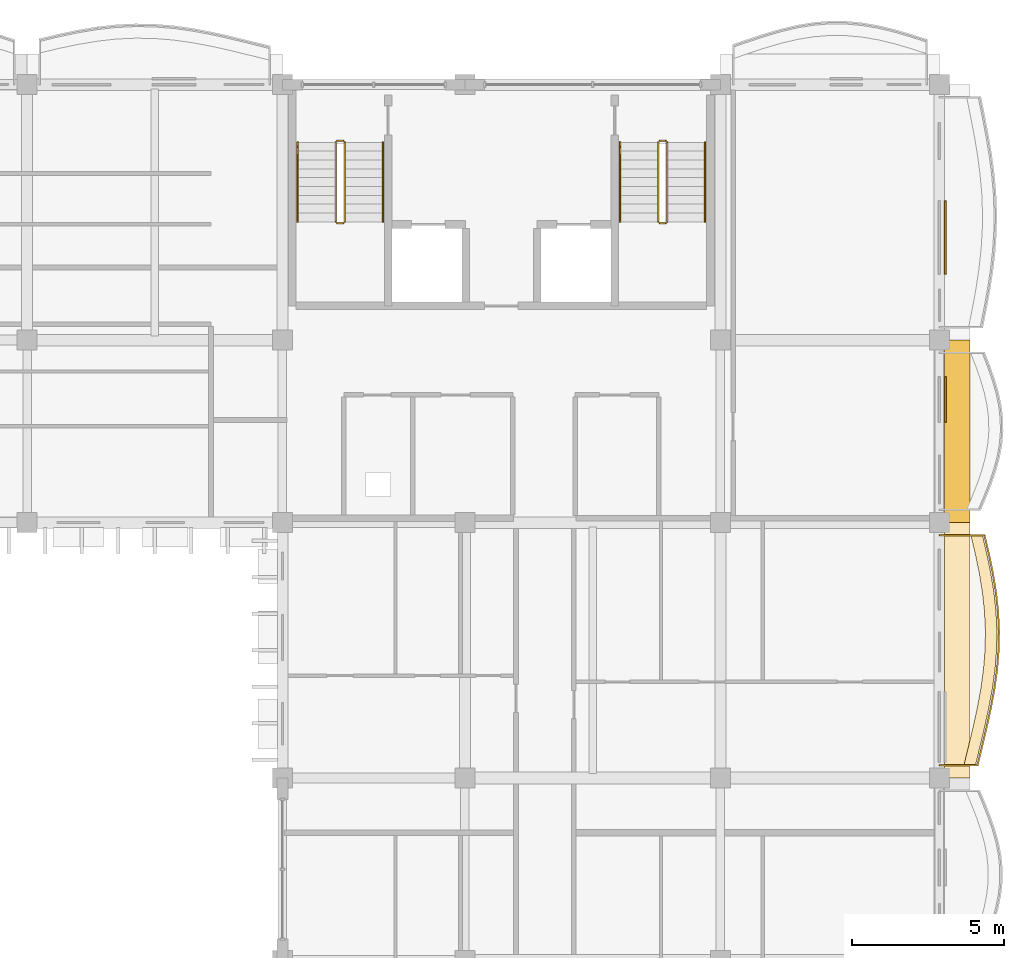
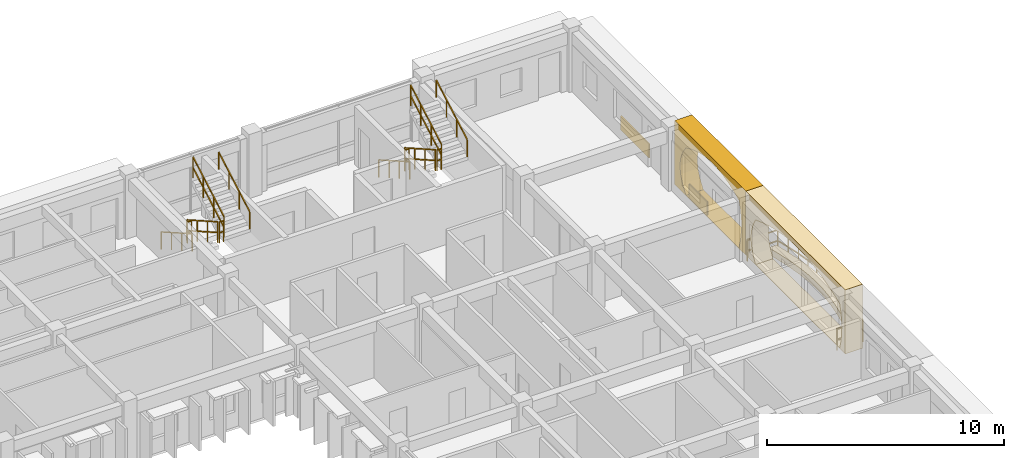
# One storey, part 77 of 79: 13 railings, 5 coverings.
"""IFC4 building model written with IfcOpenShell, lengths in metres."""

from ifc_helpers import new_model, si_unit, direction, frame, origin, origin_2d, place, context, subcontext, project, spatial, polyline, rectangle, outline, extrude, material, layer, layer_set, type_object, element, save


model = new_model("IFC4")

# Units and contexts
model_context = context("Model", 3, precision=1e-05, world=origin(), true_north=direction((0.0, 1.0)))
body_context = subcontext(model_context, "Body", "Model", "MODEL_VIEW")
ifc_project = project(units=[si_unit("LENGTHUNIT", "METRE"), si_unit("AREAUNIT", "SQUARE_METRE"), si_unit("VOLUMEUNIT", "CUBIC_METRE"), si_unit("PLANEANGLEUNIT", "RADIAN"), si_unit("MASSUNIT", "GRAM", prefix="KILO"), si_unit("THERMODYNAMICTEMPERATUREUNIT", "KELVIN")], contexts=[model_context])

# Site, building, storey
site_placement = place(None, origin())
site = spatial("IfcSite", under=ifc_project, at=site_placement, CompositionType="ELEMENT")
building_placement = place(site_placement, origin())
building = spatial("IfcBuilding", under=site, at=building_placement, Name="Thalorik Housing Commons", CompositionType="ELEMENT")
storey_placement = place(building_placement, frame((0.0, 0.0, 11.39990234375)))
storey = spatial("IfcBuildingStorey", under=building, at=storey_placement, Name="L03", CompositionType="ELEMENT", Elevation=11.39990234375)

# Coverings
ifc_material_1 = material(Name="Cobalt blue glazed ceramic facade tile panel", Category="masonry")
ifc_layer_1 = layer(ifc_material_1, 0.06005859375, Name="Cobalt blue glazed ceramic facade tile panel", Category="masonry")
ifc_layer_set_1 = layer_set([ifc_layer_1], Name="Cobalt blue glazed ceramic facade tile panel")
covering_type_1 = type_object("IfcCoveringType", Name="ARC-CLD-BLU-60", PredefinedType="CLADDING", material=ifc_layer_set_1)
covering_1_placement = place(storey_placement, frame((174.195068359375, 118.577392578125, 0.05029296875), z_axis=(0.0, 0.0, 1.0), x_axis=(0.0, 1.0, 0.0)))
element("IfcCovering", 1, at=covering_1_placement, inside=storey, type_object=covering_type_1, Name="L03 De Stijl Recessed Window Spandrel 1851", PredefinedType="CLADDING", context=body_context, shape_type="SweptSolid", body=[
    extrude(rectangle(XDim=2.419921875, YDim=0.06005859375, at=origin_2d()), origin(), (0.0, 0.0, 1.0), 0.699951171875),
])
ifc_material_2 = material(Name="Precast concrete C40/50", Category="concrete")
ifc_layer_2 = layer(ifc_material_2, 0.85009765625, Name="Precast concrete C40/50", Category="concrete")
ifc_layer_set_2 = layer_set([ifc_layer_2], Name="Precast concrete C40/50")
covering_type_2 = type_object("IfcCoveringType", Name="ARC-CLD-CUSH-850", PredefinedType="CLADDING", material=ifc_layer_set_2)
covering_2_placement = place(storey_placement, frame((174.5849609375, 112.199951171875, 0.0), z_axis=(0.0, 0.0, 1.0), x_axis=(0.0, 1.0, 0.0)))
element("IfcCovering", 2, at=covering_2_placement, inside=storey, type_object=covering_type_2, Name="L03 White Precast Curved Cushion Bay Frame 1848", PredefinedType="CLADDING", context=body_context, shape_type="SweptSolid", body=[
    extrude(outline(polyline([(-3.0, 0.0), (3.0, 0.0), (3.0, 3.300048828125), (-3.0, 3.300048828125), (-3.0, 0.0)]), holes=[polyline([(2.0400390625, 0.02490234375), (2.3232421875, 0.4326171875), (2.493408203125, 0.840087890625), (2.550048828125, 1.24755859375), (2.493408203125, 1.655029296875), (2.3232421875, 2.0625), (2.0400390625, 2.469970703125), (1.66748046875, 2.6435546875), (1.294921875, 2.77978515625), (0.922607421875, 2.89013671875), (0.550048828125, 2.97216796875), (0.177490234375, 3.02294921875), (-0.195068359375, 3.0400390625), (-0.5673828125, 3.02294921875), (-0.93994140625, 2.97216796875), (-1.3125, 2.89013671875), (-1.68505859375, 2.77978515625), (-2.0576171875, 2.6435546875), (-2.429931640625, 2.469970703125), (-2.55029296875, 2.0625), (-2.62255859375, 1.655029296875), (-2.646484375, 1.24755859375), (-2.62255859375, 0.840087890625), (-2.55029296875, 0.4326171875), (-2.429931640625, 0.02490234375), (2.0400390625, 0.02490234375)])]), frame((0.0, 0.425048828125, 0.0), z_axis=(0.0, -1.0, 0.0), x_axis=(1.0, 0.0, 0.0)), (0.0, 0.0, 1.0), 0.85009765625),
])
covering_3_placement = place(storey_placement, frame((174.5849609375, 105.0, 0.0), z_axis=(0.0, 0.0, 1.0), x_axis=(0.0, 1.0, 0.0)))
element("IfcCovering", 3, at=covering_3_placement, inside=storey, type_object=covering_type_2, Name="L03 White Precast Curved Cushion Bay Frame 2006", PredefinedType="CLADDING", context=body_context, shape_type="SweptSolid", body=[
    extrude(outline(polyline([(-4.199951171875, 0.0), (4.199951171875, 0.0), (4.199951171875, 3.300048828125), (-4.199951171875, 3.300048828125), (-4.199951171875, 0.0)]), holes=[polyline([(3.36669921875, 0.02490234375), (3.57958984375, 0.407470703125), (3.70751953125, 0.7900390625), (3.75, 1.172607421875), (3.70751953125, 1.554931640625), (3.57958984375, 1.9375), (3.36669921875, 2.320068359375), (2.77490234375, 2.539306640625), (2.183349609375, 2.711181640625), (1.591552734375, 2.8505859375), (1.0, 2.954345703125), (0.408203125, 3.018310546875), (-0.183349609375, 3.0400390625), (-0.775146484375, 3.018310546875), (-1.36669921875, 2.954345703125), (-1.95849609375, 2.8505859375), (-2.550048828125, 2.711181640625), (-3.1416015625, 2.539306640625), (-3.7333984375, 2.320068359375), (-3.831787109375, 1.9375), (-3.89111328125, 1.554931640625), (-3.91064453125, 1.172607421875), (-3.89111328125, 0.7900390625), (-3.831787109375, 0.407470703125), (-3.7333984375, 0.02490234375), (3.36669921875, 0.02490234375)])]), frame((0.0, 0.425048828125, 0.0), z_axis=(0.0, -1.0, 0.0), x_axis=(1.0, 0.0, 0.0)), (0.0, 0.0, 1.0), 0.85009765625),
])
ifc_material_3 = material(Name="Terracotta red mineral fibre-cement panel", Category="masonry")
ifc_layer_3 = layer(ifc_material_3, 0.054931640625, Name="Terracotta red mineral fibre-cement panel", Category="masonry")
ifc_layer_set_3 = layer_set([ifc_layer_3], Name="Terracotta red mineral fibre-cement panel")
covering_type_3 = type_object("IfcCoveringType", Name="ARC-CLD-RED-55", PredefinedType="CLADDING", material=ifc_layer_set_3)
covering_4_placement = place(storey_placement, frame((174.1923828125, 113.239990234375, 0.05029296875), z_axis=(0.0, 0.0, 1.0), x_axis=(0.0, 1.0, 0.0)))
element("IfcCovering", 4, at=covering_4_placement, inside=storey, type_object=covering_type_3, Name="L03 De Stijl Recessed Window Spandrel 1849", PredefinedType="CLADDING", context=body_context, shape_type="SweptSolid", body=[
    extrude(rectangle(XDim=1.5, YDim=0.054931640625, at=origin_2d()), origin(), (0.0, 0.0, 1.0), 0.699951171875),
])
ifc_material_4 = material(Name="Planted vegetated substrate and terracotta trough", Category="masonry")
ifc_layer_4 = layer(ifc_material_4, 0.340087890625, Name="Planted vegetated substrate and terracotta trough", Category="masonry")
ifc_layer_set_4 = layer_set([ifc_layer_4], Name="Planted vegetated substrate and terracotta trough")
covering_type_4 = type_object("IfcCoveringType", Name="ARC-COV-PLANTER", PredefinedType="USERDEFINED", material=ifc_layer_set_4)
covering_5_placement = place(storey_placement, origin())
element("IfcCovering", 5, at=covering_5_placement, inside=storey, type_object=covering_type_4, Name="L03 Balcony Slab-Edge Planted Trough 5450", ObjectType="PLANTER", PredefinedType="USERDEFINED", context=body_context, shape_type="SweptSolid", body=[
    extrude(outline(polyline([(175.186767578125, 101.219970703125), (175.338623046875, 101.85009765625), (175.488525390625, 102.47998046875), (175.62646484375, 103.110107421875), (175.74267578125, 103.739990234375), (175.829345703125, 104.3701171875), (175.880126953125, 105.0), (175.8916015625, 105.6298828125), (175.86279296875, 106.260009765625), (175.795166015625, 106.889892578125), (175.693359375, 107.52001953125), (175.564208984375, 108.14990234375), (175.416015625, 108.780029296875), (175.035888671875, 108.780029296875), (175.18408203125, 108.14990234375), (175.3134765625, 107.52001953125), (175.415283203125, 106.889892578125), (175.48291015625, 106.260009765625), (175.51171875, 105.6298828125), (175.500244140625, 105.0), (175.44921875, 104.3701171875), (175.36279296875, 103.739990234375), (175.246337890625, 103.110107421875), (175.108642578125, 102.47998046875), (174.958740234375, 101.85009765625), (174.806884765625, 101.219970703125), (175.186767578125, 101.219970703125)])), origin(), (0.0, 0.0, 1.0), 0.340087890625),
])

# Railings
ifc_material_5 = material(Name="Steel S355", Category="steel")
railing_type_1 = type_object("IfcRailingType", Name="ARC-RL-BAL-112", PredefinedType="BALUSTRADE", material=ifc_material_5)
railing_1_placement = place(storey_placement, frame((174.0, 101.219970703125, 0.0)))
element("IfcRailing", 6, at=railing_1_placement, inside=storey, type_object=railing_type_1, Name="L03 Cushion Balcony Guardrail 134", PredefinedType="BALUSTRADE", context=body_context, shape_type="SweptSolid", body=[
    extrude(rectangle(XDim=0.050048828125, YDim=0.050048828125, at=origin_2d()), frame((0.0, 0.0, 1.09521484375), z_axis=(1.0, 0.0, 0.0), x_axis=(0.0, 1.0, 0.0)), (0.0, 0.0, 1.0), 1.2568359375),
    extrude(rectangle(XDim=0.050048828125, YDim=0.050048828125, at=origin_2d()), frame((0.0, 0.0, 0.53515625), z_axis=(1.0, 0.0, 0.0), x_axis=(0.0, 1.0, 0.0)), (0.0, 0.0, 1.0), 1.2568359375),
    extrude(rectangle(XDim=0.050048828125, YDim=0.050048828125, at=origin_2d()), frame((1.2568359375, 0.0, 1.09521484375), z_axis=(0.234284591689, 0.972168056509, 0.0), x_axis=(-0.972168056509, 0.234284591689, 0.0)), (0.0, 0.0, 1.0), 0.648193359375),
    extrude(rectangle(XDim=0.050048828125, YDim=0.050048828125, at=origin_2d()), frame((1.2568359375, 0.0, 0.53515625), z_axis=(0.234284591689, 0.972168056509, 0.0), x_axis=(-0.972168056509, 0.234284591689, 0.0)), (0.0, 0.0, 1.0), 0.648193359375),
    extrude(rectangle(XDim=0.050048828125, YDim=0.050048828125, at=origin_2d()), frame((1.40869140625, 0.630126953125, 1.09521484375), z_axis=(0.231518572545, 0.972830483983, 0.0), x_axis=(-0.972830483983, 0.231518572545, 0.0)), (0.0, 0.0, 1.0), 0.6474609375),
    extrude(rectangle(XDim=0.050048828125, YDim=0.050048828125, at=origin_2d()), frame((1.40869140625, 0.630126953125, 0.53515625), z_axis=(0.231518572545, 0.972830483983, 0.0), x_axis=(-0.972830483983, 0.231518572545, 0.0)), (0.0, 0.0, 1.0), 0.6474609375),
    extrude(rectangle(XDim=0.050048828125, YDim=0.050048828125, at=origin_2d()), frame((1.55859375, 1.260009765625, 1.09521484375), z_axis=(0.213482393647, 0.976946911353, 0.0), x_axis=(-0.976946911353, 0.213482393647, 0.0)), (0.0, 0.0, 1.0), 0.64501953125),
    extrude(rectangle(XDim=0.050048828125, YDim=0.050048828125, at=origin_2d()), frame((1.55859375, 1.260009765625, 0.53515625), z_axis=(0.213482393647, 0.976946911353, 0.0), x_axis=(-0.976946911353, 0.213482393647, 0.0)), (0.0, 0.0, 1.0), 0.64501953125),
    extrude(rectangle(XDim=0.050048828125, YDim=0.050048828125, at=origin_2d()), frame((1.6962890625, 1.89013671875, 1.09521484375), z_axis=(0.181802641006, 0.983335039406, 0.0), x_axis=(-0.983335039406, 0.181802641006, 0.0)), (0.0, 0.0, 1.0), 0.640625),
    extrude(rectangle(XDim=0.050048828125, YDim=0.050048828125, at=origin_2d()), frame((1.6962890625, 1.89013671875, 0.53515625), z_axis=(0.181802641006, 0.983335039406, 0.0), x_axis=(-0.983335039406, 0.181802641006, 0.0)), (0.0, 0.0, 1.0), 0.640625),
    extrude(rectangle(XDim=0.050048828125, YDim=0.050048828125, at=origin_2d()), frame((1.812744140625, 2.52001953125, 1.09521484375), z_axis=(0.136260720322, 0.990673011693, 0.0), x_axis=(-0.990673011693, 0.136260720322, 0.0)), (0.0, 0.0, 1.0), 0.635986328125),
    extrude(rectangle(XDim=0.050048828125, YDim=0.050048828125, at=origin_2d()), frame((1.812744140625, 2.52001953125, 0.53515625), z_axis=(0.136260720322, 0.990673011693, 0.0), x_axis=(-0.990673011693, 0.136260720322, 0.0)), (0.0, 0.0, 1.0), 0.635986328125),
    extrude(rectangle(XDim=0.050048828125, YDim=0.050048828125, at=origin_2d()), frame((1.8994140625, 3.150146484375, 1.09521484375), z_axis=(0.080359425574, 0.996765951827, 0.0), x_axis=(-0.996765951827, 0.080359425574, 0.0)), (0.0, 0.0, 1.0), 0.6318359375),
    extrude(rectangle(XDim=0.050048828125, YDim=0.050048828125, at=origin_2d()), frame((1.8994140625, 3.150146484375, 0.53515625), z_axis=(0.080359425574, 0.996765951827, 0.0), x_axis=(-0.996765951827, 0.080359425574, 0.0)), (0.0, 0.0, 1.0), 0.6318359375),
    extrude(rectangle(XDim=0.050048828125, YDim=0.050048828125, at=origin_2d()), frame((1.9501953125, 3.780029296875, 1.09521484375), z_axis=(0.01821403225, 0.999834110755, 0.0), x_axis=(-0.999834110755, 0.01821403225, 0.0)), (0.0, 0.0, 1.0), 0.6298828125),
    extrude(rectangle(XDim=0.050048828125, YDim=0.050048828125, at=origin_2d()), frame((1.9501953125, 3.780029296875, 0.53515625), z_axis=(0.01821403225, 0.999834110755, 0.0), x_axis=(-0.999834110755, 0.01821403225, 0.0)), (0.0, 0.0, 1.0), 0.6298828125),
    extrude(rectangle(XDim=0.050048828125, YDim=0.050048828125, at=origin_2d()), frame((1.961669921875, 4.409912109375, 1.09521484375), z_axis=(-0.045671007804, 0.998956535114, 0.0), x_axis=(-0.998956535114, -0.045671007804, 0.0)), (0.0, 0.0, 1.0), 0.630859375),
    extrude(rectangle(XDim=0.050048828125, YDim=0.050048828125, at=origin_2d()), frame((1.961669921875, 4.409912109375, 0.53515625), z_axis=(-0.045671007804, 0.998956535114, 0.0), x_axis=(-0.998956535114, -0.045671007804, 0.0)), (0.0, 0.0, 1.0), 0.630859375),
    extrude(rectangle(XDim=0.050048828125, YDim=0.050048828125, at=origin_2d()), frame((1.932861328125, 5.0400390625, 1.09521484375), z_axis=(-0.106750840094, 0.994285803046, 0.0), x_axis=(-0.994285803046, -0.106750840094, 0.0)), (0.0, 0.0, 1.0), 0.633544921875),
    extrude(rectangle(XDim=0.050048828125, YDim=0.050048828125, at=origin_2d()), frame((1.932861328125, 5.0400390625, 0.53515625), z_axis=(-0.106750840094, 0.994285803046, 0.0), x_axis=(-0.994285803046, -0.106750840094, 0.0)), (0.0, 0.0, 1.0), 0.633544921875),
    extrude(rectangle(XDim=0.050048828125, YDim=0.050048828125, at=origin_2d()), frame((1.865234375, 5.669921875, 1.09521484375), z_axis=(-0.159496992938, 0.987198414324, 0.0), x_axis=(-0.987198414324, -0.159496992938, 0.0)), (0.0, 0.0, 1.0), 0.63818359375),
    extrude(rectangle(XDim=0.050048828125, YDim=0.050048828125, at=origin_2d()), frame((1.865234375, 5.669921875, 0.53515625), z_axis=(-0.159496992938, 0.987198414324, 0.0), x_axis=(-0.987198414324, -0.159496992938, 0.0)), (0.0, 0.0, 1.0), 0.63818359375),
    extrude(rectangle(XDim=0.050048828125, YDim=0.050048828125, at=origin_2d()), frame((1.763427734375, 6.300048828125, 1.09521484375), z_axis=(-0.201224395652, 0.979545171288, 0.0), x_axis=(-0.979545171288, -0.201224395652, 0.0)), (0.0, 0.0, 1.0), 0.64306640625),
    extrude(rectangle(XDim=0.050048828125, YDim=0.050048828125, at=origin_2d()), frame((1.763427734375, 6.300048828125, 0.53515625), z_axis=(-0.201224395652, 0.979545171288, 0.0), x_axis=(-0.979545171288, -0.201224395652, 0.0)), (0.0, 0.0, 1.0), 0.64306640625),
    extrude(rectangle(XDim=0.050048828125, YDim=0.050048828125, at=origin_2d()), frame((1.634033203125, 6.929931640625, 1.09521484375), z_axis=(-0.228576787076, 0.973525886872, 0.0), x_axis=(-0.973525886872, -0.228576787076, 0.0)), (0.0, 0.0, 1.0), 0.647216796875),
    extrude(rectangle(XDim=0.050048828125, YDim=0.050048828125, at=origin_2d()), frame((1.634033203125, 6.929931640625, 0.53515625), z_axis=(-0.228576787076, 0.973525886872, 0.0), x_axis=(-0.973525886872, -0.228576787076, 0.0)), (0.0, 0.0, 1.0), 0.647216796875),
    extrude(rectangle(XDim=0.050048828125, YDim=0.050048828125, at=origin_2d()), frame((1.486083984375, 7.56005859375, 1.09521484375), z_axis=(-1.0, 0.0, 0.0), x_axis=(0.0, -1.0, 0.0)), (0.0, 0.0, 1.0), 1.486083984375),
    extrude(rectangle(XDim=0.050048828125, YDim=0.050048828125, at=origin_2d()), frame((1.486083984375, 7.56005859375, 0.53515625), z_axis=(-1.0, 0.0, 0.0), x_axis=(0.0, -1.0, 0.0)), (0.0, 0.0, 1.0), 1.486083984375),
    extrude(rectangle(XDim=0.0419921875, YDim=0.0419921875, at=origin_2d()), origin(), (0.0, 0.0, 1.0), 1.070068359375),
    extrude(rectangle(XDim=0.0419921875, YDim=0.0419921875, at=origin_2d()), frame((1.2568359375, 0.0, 0.0)), (0.0, 0.0, 1.0), 1.070068359375),
    extrude(rectangle(XDim=0.0419921875, YDim=0.0419921875, at=origin_2d()), frame((1.40869140625, 0.630126953125, 0.0)), (0.0, 0.0, 1.0), 1.070068359375),
    extrude(rectangle(XDim=0.0419921875, YDim=0.0419921875, at=origin_2d()), frame((1.55859375, 1.260009765625, 0.0)), (0.0, 0.0, 1.0), 1.070068359375),
    extrude(rectangle(XDim=0.0419921875, YDim=0.0419921875, at=origin_2d()), frame((1.6962890625, 1.89013671875, 0.0)), (0.0, 0.0, 1.0), 1.070068359375),
    extrude(rectangle(XDim=0.0419921875, YDim=0.0419921875, at=origin_2d()), frame((1.812744140625, 2.52001953125, 0.0)), (0.0, 0.0, 1.0), 1.070068359375),
    extrude(rectangle(XDim=0.0419921875, YDim=0.0419921875, at=origin_2d()), frame((1.8994140625, 3.150146484375, 0.0)), (0.0, 0.0, 1.0), 1.070068359375),
    extrude(rectangle(XDim=0.0419921875, YDim=0.0419921875, at=origin_2d()), frame((1.9501953125, 3.780029296875, 0.0)), (0.0, 0.0, 1.0), 1.070068359375),
    extrude(rectangle(XDim=0.0419921875, YDim=0.0419921875, at=origin_2d()), frame((1.961669921875, 4.409912109375, 0.0)), (0.0, 0.0, 1.0), 1.070068359375),
    extrude(rectangle(XDim=0.0419921875, YDim=0.0419921875, at=origin_2d()), frame((1.932861328125, 5.0400390625, 0.0)), (0.0, 0.0, 1.0), 1.070068359375),
    extrude(rectangle(XDim=0.0419921875, YDim=0.0419921875, at=origin_2d()), frame((1.865234375, 5.669921875, 0.0)), (0.0, 0.0, 1.0), 1.070068359375),
    extrude(rectangle(XDim=0.0419921875, YDim=0.0419921875, at=origin_2d()), frame((1.763427734375, 6.300048828125, 0.0)), (0.0, 0.0, 1.0), 1.070068359375),
    extrude(rectangle(XDim=0.0419921875, YDim=0.0419921875, at=origin_2d()), frame((1.634033203125, 6.929931640625, 0.0)), (0.0, 0.0, 1.0), 1.070068359375),
    extrude(rectangle(XDim=0.0419921875, YDim=0.0419921875, at=origin_2d()), frame((1.486083984375, 7.56005859375, 0.0)), (0.0, 0.0, 1.0), 1.070068359375),
    extrude(rectangle(XDim=0.0419921875, YDim=0.0419921875, at=origin_2d()), frame((0.0, 7.56005859375, 0.0)), (0.0, 0.0, 1.0), 1.070068359375),
])
railing_type_2 = type_object("IfcRailingType", Name="ARC-RL-STR-GRD110", PredefinedType="GUARDRAIL", material=ifc_material_5)
railing_2_placement = place(storey_placement, frame((154.14990234375, 121.699951171875, 0.1650390625)))
element("IfcRailing", 7, at=railing_2_placement, inside=storey, type_object=railing_type_2, Name="L03 ST-B1 stair guard 1", PredefinedType="GUARDRAIL", context=body_context, shape_type="SweptSolid", body=[
    extrude(rectangle(XDim=0.048095703125, YDim=0.048095703125, at=origin_2d()), frame((0.0, 0.0, 1.076171875), z_axis=(0.0, -0.869137319866, 0.494570843475), x_axis=(1.0, 0.0, 0.0)), (0.0, 0.0, 1.0), 3.0029296875),
    extrude(rectangle(XDim=0.048095703125, YDim=0.048095703125, at=origin_2d()), frame((0.0, 0.0, 0.52587890625), z_axis=(0.0, -0.869137319866, 0.494570843475), x_axis=(1.0, 0.0, 0.0)), (0.0, 0.0, 1.0), 3.0029296875),
    extrude(rectangle(XDim=0.0419921875, YDim=0.0419921875, at=origin_2d()), origin(), (0.0, 0.0, 1.0), 1.052001953125),
    extrude(rectangle(XDim=0.0419921875, YDim=0.0419921875, at=origin_2d()), frame((0.0, -0.869873046875, 0.4951171875)), (0.0, 0.0, 1.0), 1.052001953125),
    extrude(rectangle(XDim=0.0419921875, YDim=0.0419921875, at=origin_2d()), frame((0.0, -1.739990234375, 0.989990234375)), (0.0, 0.0, 1.0), 1.052001953125),
    extrude(rectangle(XDim=0.0419921875, YDim=0.0419921875, at=origin_2d()), frame((0.0, -2.60986328125, 1.485107421875)), (0.0, 0.0, 1.0), 1.052001953125),
])
railing_3_placement = place(storey_placement, frame((154.199951171875, 119.0400390625, 1.650146484375)))
element("IfcRailing", 8, at=railing_3_placement, inside=storey, type_object=railing_type_2, Name="L03 ST-B1 stair guard 2", PredefinedType="GUARDRAIL", context=body_context, shape_type="SweptSolid", body=[
    extrude(rectangle(XDim=0.048095703125, YDim=0.048095703125, at=origin_2d()), frame((0.0, 0.0, 1.076171875), z_axis=(1.0, 0.0, 0.0), x_axis=(0.0, 1.0, 0.0)), (0.0, 0.0, 1.0), 0.199951171875),
    extrude(rectangle(XDim=0.048095703125, YDim=0.048095703125, at=origin_2d()), frame((0.0, 0.0, 0.52587890625), z_axis=(1.0, 0.0, 0.0), x_axis=(0.0, 1.0, 0.0)), (0.0, 0.0, 1.0), 0.199951171875),
    extrude(rectangle(XDim=0.0419921875, YDim=0.0419921875, at=origin_2d()), origin(), (0.0, 0.0, 1.0), 1.052001953125),
    extrude(rectangle(XDim=0.0419921875, YDim=0.0419921875, at=origin_2d()), frame((0.199951171875, 0.0, 0.0)), (0.0, 0.0, 1.0), 1.052001953125),
])
railing_4_placement = place(storey_placement, frame((154.449951171875, 119.090087890625, 1.815185546875)))
element("IfcRailing", 9, at=railing_4_placement, inside=storey, type_object=railing_type_2, Name="L03 ST-B1 stair guard 3", PredefinedType="GUARDRAIL", context=body_context, shape_type="SweptSolid", body=[
    extrude(rectangle(XDim=0.048095703125, YDim=0.048095703125, at=origin_2d()), frame((0.0, 0.0, 1.076171875), z_axis=(0.0, 0.869172267526, 0.494509422927), x_axis=(-1.0, 0.0, 0.0)), (0.0, 0.0, 1.0), 3.002685546875),
    extrude(rectangle(XDim=0.048095703125, YDim=0.048095703125, at=origin_2d()), frame((0.0, 0.0, 0.52587890625), z_axis=(0.0, 0.869172267526, 0.494509422927), x_axis=(-1.0, 0.0, 0.0)), (0.0, 0.0, 1.0), 3.002685546875),
    extrude(rectangle(XDim=0.0419921875, YDim=0.0419921875, at=origin_2d()), origin(), (0.0, 0.0, 1.0), 1.052001953125),
    extrude(rectangle(XDim=0.0419921875, YDim=0.0419921875, at=origin_2d()), frame((0.0, 0.869873046875, 0.494873046875)), (0.0, 0.0, 1.0), 1.052001953125),
    extrude(rectangle(XDim=0.0419921875, YDim=0.0419921875, at=origin_2d()), frame((0.0, 1.739990234375, 0.989990234375)), (0.0, 0.0, 1.0), 1.052001953125),
    extrude(rectangle(XDim=0.0419921875, YDim=0.0419921875, at=origin_2d()), frame((0.0, 2.60986328125, 1.48486328125)), (0.0, 0.0, 1.0), 1.052001953125),
])
railing_5_placement = place(storey_placement, frame((154.199951171875, 121.75, 0.0)))
element("IfcRailing", 10, at=railing_5_placement, inside=storey, type_object=railing_type_2, Name="L03 ST-B1 stair guard 4", PredefinedType="GUARDRAIL", context=body_context, shape_type="SweptSolid", body=[
    extrude(rectangle(XDim=0.048095703125, YDim=0.048095703125, at=origin_2d()), frame((0.0, 0.0, 1.076171875), z_axis=(1.0, 0.0, 0.0), x_axis=(0.0, 1.0, 0.0)), (0.0, 0.0, 1.0), 0.199951171875),
    extrude(rectangle(XDim=0.048095703125, YDim=0.048095703125, at=origin_2d()), frame((0.0, 0.0, 0.52587890625), z_axis=(1.0, 0.0, 0.0), x_axis=(0.0, 1.0, 0.0)), (0.0, 0.0, 1.0), 0.199951171875),
    extrude(rectangle(XDim=0.0419921875, YDim=0.0419921875, at=origin_2d()), origin(), (0.0, 0.0, 1.0), 1.052001953125),
    extrude(rectangle(XDim=0.0419921875, YDim=0.0419921875, at=origin_2d()), frame((0.199951171875, 0.0, 0.0)), (0.0, 0.0, 1.0), 1.052001953125),
])
railing_6_placement = place(storey_placement, frame((164.75, 121.699951171875, 0.1650390625)))
element("IfcRailing", 11, at=railing_6_placement, inside=storey, type_object=railing_type_2, Name="L03 ST-B2 stair guard 1", PredefinedType="GUARDRAIL", context=body_context, shape_type="SweptSolid", body=[
    extrude(rectangle(XDim=0.048095703125, YDim=0.048095703125, at=origin_2d()), frame((0.0, 0.0, 1.076171875), z_axis=(0.0, -0.869137319866, 0.494570843475), x_axis=(1.0, 0.0, 0.0)), (0.0, 0.0, 1.0), 3.0029296875),
    extrude(rectangle(XDim=0.048095703125, YDim=0.048095703125, at=origin_2d()), frame((0.0, 0.0, 0.52587890625), z_axis=(0.0, -0.869137319866, 0.494570843475), x_axis=(1.0, 0.0, 0.0)), (0.0, 0.0, 1.0), 3.0029296875),
    extrude(rectangle(XDim=0.0419921875, YDim=0.0419921875, at=origin_2d()), origin(), (0.0, 0.0, 1.0), 1.052001953125),
    extrude(rectangle(XDim=0.0419921875, YDim=0.0419921875, at=origin_2d()), frame((0.0, -0.869873046875, 0.4951171875)), (0.0, 0.0, 1.0), 1.052001953125),
    extrude(rectangle(XDim=0.0419921875, YDim=0.0419921875, at=origin_2d()), frame((0.0, -1.739990234375, 0.989990234375)), (0.0, 0.0, 1.0), 1.052001953125),
    extrude(rectangle(XDim=0.0419921875, YDim=0.0419921875, at=origin_2d()), frame((0.0, -2.60986328125, 1.485107421875)), (0.0, 0.0, 1.0), 1.052001953125),
])
railing_7_placement = place(storey_placement, frame((164.800048828125, 119.0400390625, 1.650146484375)))
element("IfcRailing", 12, at=railing_7_placement, inside=storey, type_object=railing_type_2, Name="L03 ST-B2 stair guard 2", PredefinedType="GUARDRAIL", context=body_context, shape_type="SweptSolid", body=[
    extrude(rectangle(XDim=0.048095703125, YDim=0.048095703125, at=origin_2d()), frame((0.0, 0.0, 1.076171875), z_axis=(1.0, 0.0, 0.0), x_axis=(0.0, 1.0, 0.0)), (0.0, 0.0, 1.0), 0.199951171875),
    extrude(rectangle(XDim=0.048095703125, YDim=0.048095703125, at=origin_2d()), frame((0.0, 0.0, 0.52587890625), z_axis=(1.0, 0.0, 0.0), x_axis=(0.0, 1.0, 0.0)), (0.0, 0.0, 1.0), 0.199951171875),
    extrude(rectangle(XDim=0.0419921875, YDim=0.0419921875, at=origin_2d()), origin(), (0.0, 0.0, 1.0), 1.052001953125),
    extrude(rectangle(XDim=0.0419921875, YDim=0.0419921875, at=origin_2d()), frame((0.199951171875, 0.0, 0.0)), (0.0, 0.0, 1.0), 1.052001953125),
])
railing_8_placement = place(storey_placement, frame((165.050048828125, 119.090087890625, 1.815185546875)))
element("IfcRailing", 13, at=railing_8_placement, inside=storey, type_object=railing_type_2, Name="L03 ST-B2 stair guard 3", PredefinedType="GUARDRAIL", context=body_context, shape_type="SweptSolid", body=[
    extrude(rectangle(XDim=0.048095703125, YDim=0.048095703125, at=origin_2d()), frame((0.0, 0.0, 1.076171875), z_axis=(0.0, 0.869172267526, 0.494509422927), x_axis=(-1.0, 0.0, 0.0)), (0.0, 0.0, 1.0), 3.002685546875),
    extrude(rectangle(XDim=0.048095703125, YDim=0.048095703125, at=origin_2d()), frame((0.0, 0.0, 0.52587890625), z_axis=(0.0, 0.869172267526, 0.494509422927), x_axis=(-1.0, 0.0, 0.0)), (0.0, 0.0, 1.0), 3.002685546875),
    extrude(rectangle(XDim=0.0419921875, YDim=0.0419921875, at=origin_2d()), origin(), (0.0, 0.0, 1.0), 1.052001953125),
    extrude(rectangle(XDim=0.0419921875, YDim=0.0419921875, at=origin_2d()), frame((0.0, 0.869873046875, 0.494873046875)), (0.0, 0.0, 1.0), 1.052001953125),
    extrude(rectangle(XDim=0.0419921875, YDim=0.0419921875, at=origin_2d()), frame((0.0, 1.739990234375, 0.989990234375)), (0.0, 0.0, 1.0), 1.052001953125),
    extrude(rectangle(XDim=0.0419921875, YDim=0.0419921875, at=origin_2d()), frame((0.0, 2.60986328125, 1.48486328125)), (0.0, 0.0, 1.0), 1.052001953125),
])
railing_9_placement = place(storey_placement, frame((164.800048828125, 121.75, 0.0)))
element("IfcRailing", 14, at=railing_9_placement, inside=storey, type_object=railing_type_2, Name="L03 ST-B2 stair guard 4", PredefinedType="GUARDRAIL", context=body_context, shape_type="SweptSolid", body=[
    extrude(rectangle(XDim=0.048095703125, YDim=0.048095703125, at=origin_2d()), frame((0.0, 0.0, 1.076171875), z_axis=(1.0, 0.0, 0.0), x_axis=(0.0, 1.0, 0.0)), (0.0, 0.0, 1.0), 0.199951171875),
    extrude(rectangle(XDim=0.048095703125, YDim=0.048095703125, at=origin_2d()), frame((0.0, 0.0, 0.52587890625), z_axis=(1.0, 0.0, 0.0), x_axis=(0.0, 1.0, 0.0)), (0.0, 0.0, 1.0), 0.199951171875),
    extrude(rectangle(XDim=0.0419921875, YDim=0.0419921875, at=origin_2d()), origin(), (0.0, 0.0, 1.0), 1.052001953125),
    extrude(rectangle(XDim=0.0419921875, YDim=0.0419921875, at=origin_2d()), frame((0.199951171875, 0.0, 0.0)), (0.0, 0.0, 1.0), 1.052001953125),
])
railing_type_3 = type_object("IfcRailingType", Name="ARC-RL-STR-HR092", PredefinedType="HANDRAIL", material=ifc_material_5)
railing_10_placement = place(storey_placement, frame((152.89990234375, 121.699951171875, 0.1650390625)))
element("IfcRailing", 15, at=railing_10_placement, inside=storey, type_object=railing_type_3, Name="L03 ST-B1 stair handrail 1", PredefinedType="HANDRAIL", context=body_context, shape_type="SweptSolid", body=[
    extrude(rectangle(XDim=0.048095703125, YDim=0.048095703125, at=origin_2d()), frame((0.0, 0.0, 0.89599609375), z_axis=(0.0, -0.869137319866, 0.494570843475), x_axis=(1.0, 0.0, 0.0)), (0.0, 0.0, 1.0), 3.0029296875),
    extrude(rectangle(XDim=0.0419921875, YDim=0.0419921875, at=origin_2d()), origin(), (0.0, 0.0, 1.0), 0.871826171875),
    extrude(rectangle(XDim=0.0419921875, YDim=0.0419921875, at=origin_2d()), frame((0.0, -0.869873046875, 0.4951171875)), (0.0, 0.0, 1.0), 0.871826171875),
    extrude(rectangle(XDim=0.0419921875, YDim=0.0419921875, at=origin_2d()), frame((0.0, -1.739990234375, 0.989990234375)), (0.0, 0.0, 1.0), 0.871826171875),
    extrude(rectangle(XDim=0.0419921875, YDim=0.0419921875, at=origin_2d()), frame((0.0, -2.60986328125, 1.485107421875)), (0.0, 0.0, 1.0), 0.871826171875),
])
railing_11_placement = place(storey_placement, frame((155.699951171875, 119.090087890625, 1.815185546875)))
element("IfcRailing", 16, at=railing_11_placement, inside=storey, type_object=railing_type_3, Name="L03 ST-B1 stair handrail 2", PredefinedType="HANDRAIL", context=body_context, shape_type="SweptSolid", body=[
    extrude(rectangle(XDim=0.048095703125, YDim=0.048095703125, at=origin_2d()), frame((0.0, 0.0, 0.89599609375), z_axis=(0.0, 0.869172267526, 0.494509422927), x_axis=(-1.0, 0.0, 0.0)), (0.0, 0.0, 1.0), 3.002685546875),
    extrude(rectangle(XDim=0.0419921875, YDim=0.0419921875, at=origin_2d()), origin(), (0.0, 0.0, 1.0), 0.871826171875),
    extrude(rectangle(XDim=0.0419921875, YDim=0.0419921875, at=origin_2d()), frame((0.0, 0.869873046875, 0.494873046875)), (0.0, 0.0, 1.0), 0.871826171875),
    extrude(rectangle(XDim=0.0419921875, YDim=0.0419921875, at=origin_2d()), frame((0.0, 1.739990234375, 0.989990234375)), (0.0, 0.0, 1.0), 0.871826171875),
    extrude(rectangle(XDim=0.0419921875, YDim=0.0419921875, at=origin_2d()), frame((0.0, 2.60986328125, 1.48486328125)), (0.0, 0.0, 1.0), 0.871826171875),
])
railing_12_placement = place(storey_placement, frame((163.5, 121.699951171875, 0.1650390625)))
element("IfcRailing", 17, at=railing_12_placement, inside=storey, type_object=railing_type_3, Name="L03 ST-B2 stair handrail 1", PredefinedType="HANDRAIL", context=body_context, shape_type="SweptSolid", body=[
    extrude(rectangle(XDim=0.048095703125, YDim=0.048095703125, at=origin_2d()), frame((0.0, 0.0, 0.89599609375), z_axis=(0.0, -0.869137319866, 0.494570843475), x_axis=(1.0, 0.0, 0.0)), (0.0, 0.0, 1.0), 3.0029296875),
    extrude(rectangle(XDim=0.0419921875, YDim=0.0419921875, at=origin_2d()), origin(), (0.0, 0.0, 1.0), 0.871826171875),
    extrude(rectangle(XDim=0.0419921875, YDim=0.0419921875, at=origin_2d()), frame((0.0, -0.869873046875, 0.4951171875)), (0.0, 0.0, 1.0), 0.871826171875),
    extrude(rectangle(XDim=0.0419921875, YDim=0.0419921875, at=origin_2d()), frame((0.0, -1.739990234375, 0.989990234375)), (0.0, 0.0, 1.0), 0.871826171875),
    extrude(rectangle(XDim=0.0419921875, YDim=0.0419921875, at=origin_2d()), frame((0.0, -2.60986328125, 1.485107421875)), (0.0, 0.0, 1.0), 0.871826171875),
])
railing_13_placement = place(storey_placement, frame((166.300048828125, 119.090087890625, 1.815185546875)))
element("IfcRailing", 18, at=railing_13_placement, inside=storey, type_object=railing_type_3, Name="L03 ST-B2 stair handrail 2", PredefinedType="HANDRAIL", context=body_context, shape_type="SweptSolid", body=[
    extrude(rectangle(XDim=0.048095703125, YDim=0.048095703125, at=origin_2d()), frame((0.0, 0.0, 0.89599609375), z_axis=(0.0, 0.869172267526, 0.494509422927), x_axis=(-1.0, 0.0, 0.0)), (0.0, 0.0, 1.0), 3.002685546875),
    extrude(rectangle(XDim=0.0419921875, YDim=0.0419921875, at=origin_2d()), origin(), (0.0, 0.0, 1.0), 0.871826171875),
    extrude(rectangle(XDim=0.0419921875, YDim=0.0419921875, at=origin_2d()), frame((0.0, 0.869873046875, 0.494873046875)), (0.0, 0.0, 1.0), 0.871826171875),
    extrude(rectangle(XDim=0.0419921875, YDim=0.0419921875, at=origin_2d()), frame((0.0, 1.739990234375, 0.989990234375)), (0.0, 0.0, 1.0), 0.871826171875),
    extrude(rectangle(XDim=0.0419921875, YDim=0.0419921875, at=origin_2d()), frame((0.0, 2.60986328125, 1.48486328125)), (0.0, 0.0, 1.0), 0.871826171875),
])

save(model, "model.ifc")
